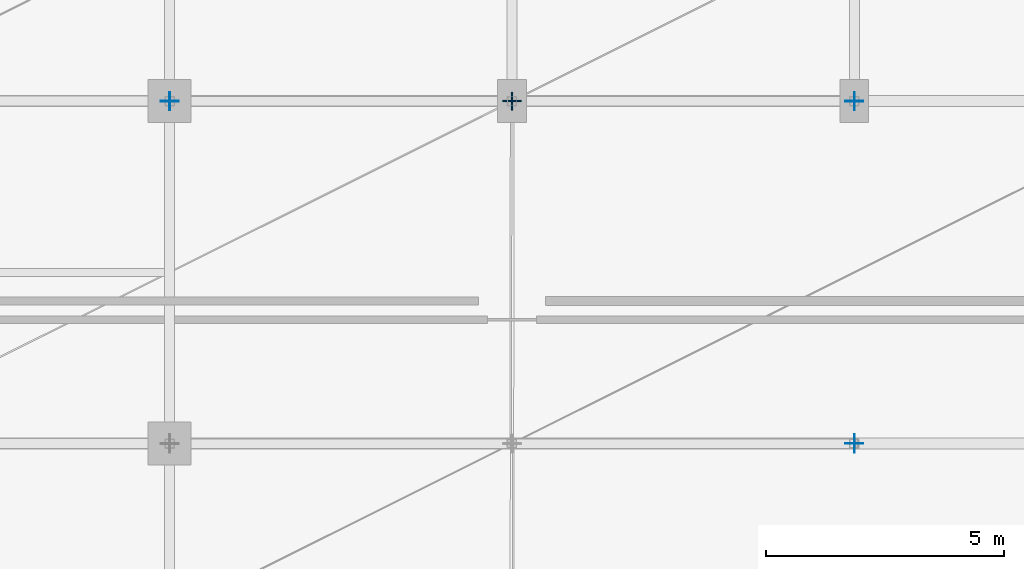
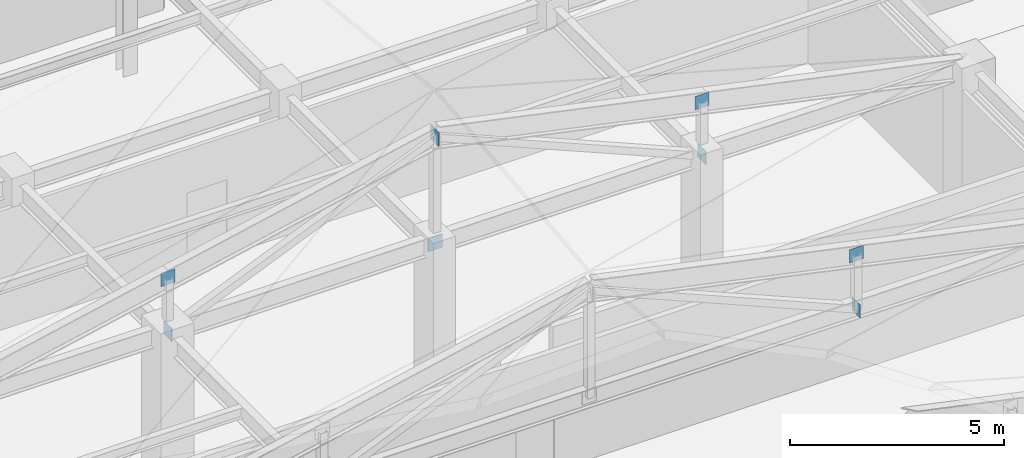
# One storey, part 85 of 113: 8 plates.
"""IFC4 building model written with IfcOpenShell, lengths in metres."""

from ifc_helpers import new_model, si_unit, direction, frame, origin, origin_2d, place, context, subcontext, project, spatial, rectangle, extrude, material, layer, layer_set, type_object, element, save


model = new_model("IFC4")

# Units and contexts
model_context = context("Model", 3, precision=1e-05, world=origin(), true_north=direction((0.0, 1.0)))
body_context = subcontext(model_context, "Body", "Model", "MODEL_VIEW")
ifc_project = project(units=[si_unit("LENGTHUNIT", "METRE"), si_unit("AREAUNIT", "SQUARE_METRE"), si_unit("VOLUMEUNIT", "CUBIC_METRE"), si_unit("PLANEANGLEUNIT", "RADIAN"), si_unit("MASSUNIT", "GRAM", prefix="KILO")], contexts=[model_context])

# Site, building, storey
site_placement = place(None, origin())
site = spatial("IfcSite", under=ifc_project, at=site_placement, CompositionType="ELEMENT")
building_placement = place(site_placement, origin())
building = spatial("IfcBuilding", under=site, at=building_placement, Name="Carrowvane Square Congress Hotel", CompositionType="ELEMENT")
storey_placement = place(building_placement, frame((0.0, 0.0, 15.0)))
storey = spatial("IfcBuildingStorey", under=building, at=storey_placement, Name="L03", CompositionType="ELEMENT", Elevation=15.0)

# Plates
ifc_material_1 = material(Name="Steel S355", Category="steel")
ifc_layer_1 = layer(ifc_material_1, 0.02001953125)
ifc_layer_set_1 = layer_set([ifc_layer_1], Name="Steel S355")
plate_type_1 = type_object("IfcPlateType", Name="PLT-GUS-20", PredefinedType="SHEET", material=ifc_layer_set_1)
plate_1_placement = place(storey_placement, frame((141.199951171875, 48.60009765625, 3.66015625), z_axis=(0.0, 0.0, 1.0), x_axis=(1.0, 0.0, 0.0)))
element("IfcPlate", 1, at=plate_1_placement, inside=storey, type_object=plate_type_1, Name="L03 brace connection end plate 231", PredefinedType="SHEET", context=body_context, shape_type="SweptSolid", body=[
    extrude(rectangle(XDim=0.02001953125, YDim=0.3798828125, at=origin_2d()), origin(), (0.0, 0.0, 1.0), 0.3798828125),
])
plate_2_placement = place(storey_placement, frame((141.199951171875, 48.60009765625, 5.180419921875), z_axis=(0.0, 0.0, 1.0), x_axis=(1.0, 0.0, 0.0)))
element("IfcPlate", 2, at=plate_2_placement, inside=storey, type_object=plate_type_1, Name="L03 brace connection end plate 234", PredefinedType="SHEET", context=body_context, shape_type="SweptSolid", body=[
    extrude(rectangle(XDim=0.3798828125, YDim=0.02001953125, at=origin_2d()), origin(), (0.0, 0.0, 1.0), 0.3798828125),
])
ifc_material_2 = material(Name="Steel S355", Category="steel")
ifc_layer_2 = layer(ifc_material_2, 0.030029296875)
ifc_layer_set_2 = layer_set([ifc_layer_2], Name="Steel S355")
plate_type_2 = type_object("IfcPlateType", Name="PLT-GUS-30", PredefinedType="USERDEFINED", material=ifc_layer_set_2)
plate_3_placement = place(storey_placement, frame((148.39990234375, 48.60009765625, 6.7109375), z_axis=(0.0, 0.0, 1.0), x_axis=(1.0, 0.0, 0.0)))
element("IfcPlate", 3, at=plate_3_placement, inside=storey, type_object=plate_type_2, Name="L03 brace connection end plate 232", ObjectType="GUSSET PLATE", PredefinedType="USERDEFINED", context=body_context, shape_type="SweptSolid", body=[
    extrude(rectangle(XDim=0.030029296875, YDim=0.3798828125, at=origin_2d()), origin(), (0.0, 0.0, 1.0), 0.3798828125),
])
plate_4_placement = place(storey_placement, frame((148.39990234375, 48.60009765625, 3.66015625), z_axis=(0.0, 0.0, 1.0), x_axis=(1.0, 0.0, 0.0)))
element("IfcPlate", 4, at=plate_4_placement, inside=storey, type_object=plate_type_2, Name="L03 brace connection end plate 235", ObjectType="GUSSET PLATE", PredefinedType="USERDEFINED", context=body_context, shape_type="SweptSolid", body=[
    extrude(rectangle(XDim=0.3798828125, YDim=0.030029296875, at=origin_2d()), origin(), (0.0, 0.0, 1.0), 0.3798828125),
])
ifc_material_3 = material(Name="Steel S355", Category="steel")
ifc_layer_3 = layer(ifc_material_3, 0.01611328125)
ifc_layer_set_3 = layer_set([ifc_layer_3], Name="Steel S355")
plate_type_3 = type_object("IfcPlateType", Name="PLT-STF-16", PredefinedType="USERDEFINED", material=ifc_layer_set_3)
plate_5_placement = place(storey_placement, frame((155.60009765625, 41.39990234375, 3.66015625), z_axis=(0.0, 0.0, 1.0), x_axis=(1.0, 0.0, 0.0)))
element("IfcPlate", 5, at=plate_5_placement, inside=storey, type_object=plate_type_3, Name="L03 brace connection end plate 227", ObjectType="STIFFENER PLATE", PredefinedType="USERDEFINED", context=body_context, shape_type="SweptSolid", body=[
    extrude(rectangle(XDim=0.01611328125, YDim=0.3798828125, at=origin_2d()), origin(), (0.0, 0.0, 1.0), 0.3798828125),
])
plate_6_placement = place(storey_placement, frame((155.60009765625, 41.39990234375, 5.180419921875), z_axis=(0.0, 0.0, 1.0), x_axis=(1.0, 0.0, 0.0)))
element("IfcPlate", 6, at=plate_6_placement, inside=storey, type_object=plate_type_3, Name="L03 brace connection end plate 230", ObjectType="STIFFENER PLATE", PredefinedType="USERDEFINED", context=body_context, shape_type="SweptSolid", body=[
    extrude(rectangle(XDim=0.3798828125, YDim=0.01611328125, at=origin_2d()), origin(), (0.0, 0.0, 1.0), 0.3798828125),
])
plate_7_placement = place(storey_placement, frame((155.60009765625, 48.60009765625, 3.66015625), z_axis=(0.0, 0.0, 1.0), x_axis=(1.0, 0.0, 0.0)))
element("IfcPlate", 7, at=plate_7_placement, inside=storey, type_object=plate_type_3, Name="L03 brace connection end plate 233", ObjectType="STIFFENER PLATE", PredefinedType="USERDEFINED", context=body_context, shape_type="SweptSolid", body=[
    extrude(rectangle(XDim=0.01611328125, YDim=0.3798828125, at=origin_2d()), origin(), (0.0, 0.0, 1.0), 0.3798828125),
])
plate_8_placement = place(storey_placement, frame((155.60009765625, 48.60009765625, 5.180419921875), z_axis=(0.0, 0.0, 1.0), x_axis=(1.0, 0.0, 0.0)))
element("IfcPlate", 8, at=plate_8_placement, inside=storey, type_object=plate_type_3, Name="L03 brace connection end plate 236", ObjectType="STIFFENER PLATE", PredefinedType="USERDEFINED", context=body_context, shape_type="SweptSolid", body=[
    extrude(rectangle(XDim=0.3798828125, YDim=0.01611328125, at=origin_2d()), origin(), (0.0, 0.0, 1.0), 0.3798828125),
])

save(model, "model.ifc")
